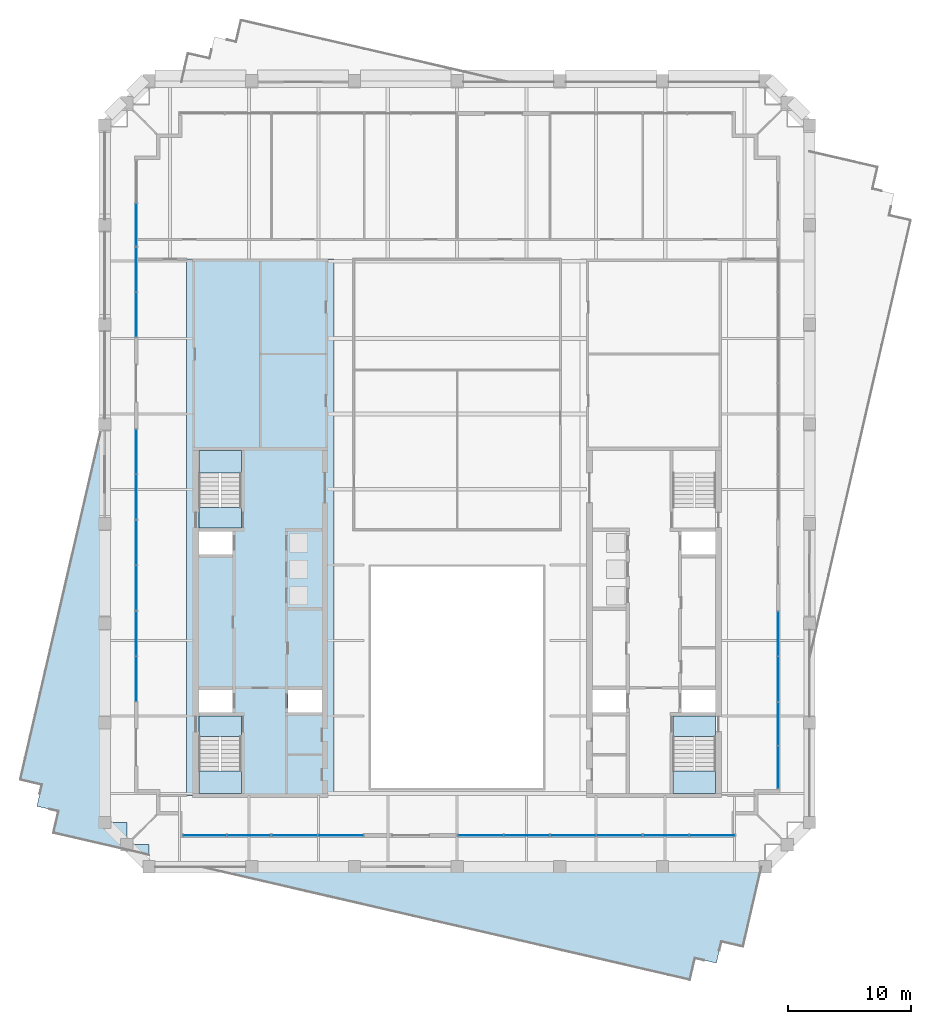
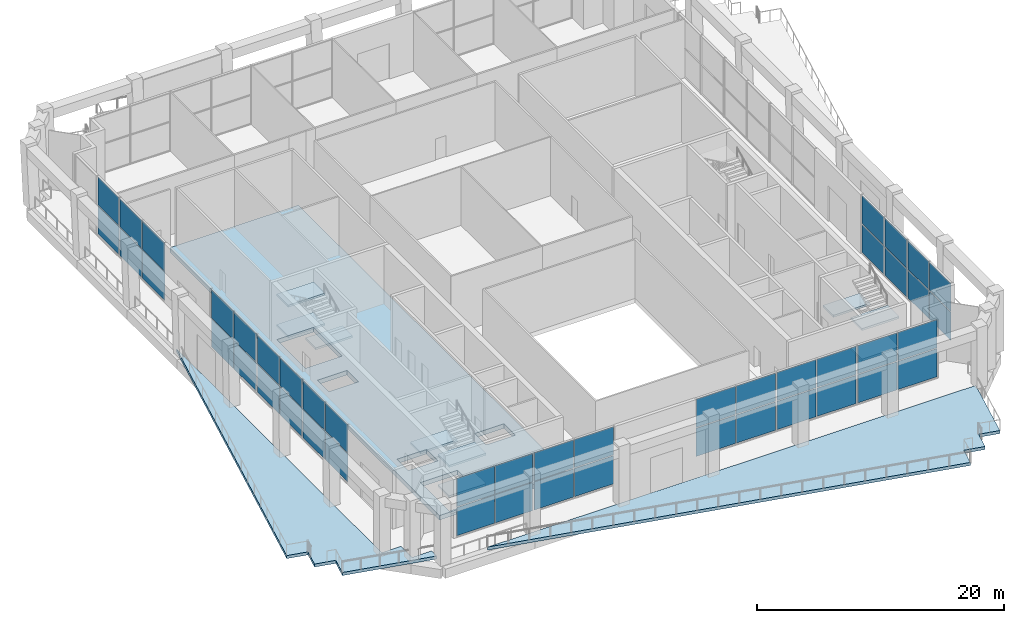
# One storey, part 9 of 20: 46 plates, 12 slabs, 15 elements without a shape of their own.
"""IFC4 building model written with IfcOpenShell, lengths in metres."""

import ifcopenshell
import ifcopenshell.guid

model = None  # the IFC model being written
_history = None  # IfcOwnerHistory: only IFC2X3 demands one
_inside = {}  # id of a spatial element -> (the spatial element, [elements in it])
_under = {}  # id of a project, library or spatial element -> (it, [spatial elements below it])
_declared = {}  # id of a project -> (the project, [libraries it declares])
_typed = {}  # id of a type object -> (the type object, [elements of that type])
_made_of = {}  # id of a material, layer set ... -> (it, [elements and type objects made of it])


def new_model(schema):
    """Start an empty IFC model of exactly this schema.

    Asked for "IFC4X3", IfcOpenShell would pick the latest addendum, in which some entities
    have other attributes; the version numbers below select the first issue.
    IFC2X3 requires an IfcOwnerHistory on every rooted entity: one is made here for all.
    """
    global model, _history
    if schema == "IFC4X3":
        model = ifcopenshell.file(schema_version=(4, 3, 0, 0))
    else:
        model = ifcopenshell.file(schema=schema)
    _inside.clear()
    _under.clear()
    _declared.clear()
    _typed.clear()
    _made_of.clear()
    _history = None
    if model.schema == "IFC2X3":
        org = make("IfcOrganization", Name="unknown")
        user = make(
            "IfcPersonAndOrganization",
            ThePerson=make("IfcPerson", FamilyName="unknown"),
            TheOrganization=org,
        )
        app = make(
            "IfcApplication",
            ApplicationDeveloper=org,
            Version="unknown",
            ApplicationFullName="unknown",
            ApplicationIdentifier="unknown",
        )
        _history = make(
            "IfcOwnerHistory",
            OwningUser=user,
            OwningApplication=app,
            ChangeAction="ADDED",
            CreationDate=0,
        )
    return model


def make(cls, **values):
    """One entity of the class cls with the attributes given. An attribute that is None is left unset."""
    return model.create_entity(
        cls, **{name: value for name, value in values.items() if value is not None}
    )


def rooted(cls, **values):
    """An entity with a GlobalId (a new one), such as an element, a storey or a relation."""
    return make(cls, GlobalId=ifcopenshell.guid.new(), OwnerHistory=_history, **values)


def si_unit(unit_type, name, prefix=None):
    """IfcSIUnit, for example si_unit("LENGTHUNIT", "METRE", prefix="MILLI")."""
    return make("IfcSIUnit", UnitType=unit_type, Prefix=prefix, Name=name)


def assignment(units):
    """IfcUnitAssignment: the units of a project."""
    return None if units is None else make("IfcUnitAssignment", Units=units)


def point(xyz):
    """IfcCartesianPoint."""
    return None if xyz is None else make("IfcCartesianPoint", Coordinates=xyz)


def direction(xyz):
    """IfcDirection."""
    return None if xyz is None else make("IfcDirection", DirectionRatios=xyz)


def frame(location, z_axis=None, x_axis=None):
    """IfcAxis2Placement3D, a coordinate frame: its origin and axes. An axis left out is left unset."""
    return make(
        "IfcAxis2Placement3D",
        Location=point(location),
        Axis=direction(z_axis),
        RefDirection=direction(x_axis),
    )


def frame_2d(location, x_axis=None):
    """IfcAxis2Placement2D, a coordinate frame in the plane: its origin and x axis."""
    return make(
        "IfcAxis2Placement2D", Location=point(location), RefDirection=direction(x_axis)
    )


def origin():
    """The frame at (0, 0, 0) with its axes left unset."""
    return frame((0.0, 0.0, 0.0))


def origin_2d():
    """The frame at (0, 0) in the plane with its x axis left unset."""
    return frame_2d((0.0, 0.0))


def place(relative_to, where):
    """IfcLocalPlacement: puts the frame where relative to a parent placement (None: the world)."""
    return make(
        "IfcLocalPlacement", PlacementRelTo=relative_to, RelativePlacement=where
    )


def context(
    kind, dimensions, precision=None, world=None, true_north=None, identifier=None
):
    """IfcGeometricRepresentationContext, for example the 3D "Model" context."""
    return make(
        "IfcGeometricRepresentationContext",
        ContextIdentifier=identifier,
        ContextType=kind,
        CoordinateSpaceDimension=dimensions,
        Precision=precision,
        WorldCoordinateSystem=world,
        TrueNorth=true_north,
    )


def subcontext(parent, identifier, kind, view, scale=None):
    """IfcGeometricRepresentationSubContext, for example "Body" below "Model"."""
    return make(
        "IfcGeometricRepresentationSubContext",
        ContextIdentifier=identifier,
        ContextType=kind,
        ParentContext=parent,
        TargetScale=scale,
        TargetView=view,
    )


def project(units=None, contexts=None):
    """IfcProject with its units and contexts."""
    return rooted(
        "IfcProject",
        Name="project",
        RepresentationContexts=contexts,
        UnitsInContext=assignment(units),
    )


def spatial(cls, under=None, at=None, **own):
    """A site, building, storey or space (cls), placed at a placement, below another one or the project."""
    s = rooted(cls, ObjectPlacement=at, **own)
    if under is not None:
        _under.setdefault(under.id(), (under, []))[1].append(s)
    return s


def polyline(points):
    """IfcPolyline through the points."""
    return make("IfcPolyline", Points=[point(p) for p in points])


def profile(cls, at=None, kind="AREA", **sizes):
    """A parametric profile (cls). Its sizes go by their IFC names, for example OverallWidth=200.0."""
    return make(cls, ProfileType=kind, Position=at, **sizes)


def rectangle(**sizes):
    """IfcRectangleProfileDef."""
    return profile("IfcRectangleProfileDef", **sizes)


def outline(outer, holes=None, kind="AREA"):
    """IfcArbitraryClosedProfileDef: a profile drawn as a closed curve; with holes, ...WithVoids."""
    if holes is None:
        return make("IfcArbitraryClosedProfileDef", ProfileType=kind, OuterCurve=outer)
    return make(
        "IfcArbitraryProfileDefWithVoids",
        ProfileType=kind,
        OuterCurve=outer,
        InnerCurves=holes,
    )


def extrude(swept, where, along, depth):
    """IfcExtrudedAreaSolid: the profile swept, set in the frame where, extruded along a direction by depth."""
    return make(
        "IfcExtrudedAreaSolid",
        SweptArea=swept,
        Position=where,
        ExtrudedDirection=direction(along),
        Depth=depth,
    )


def shape(context_of_items, identifier, shape_type, items):
    """IfcShapeRepresentation: the items that make up one representation, for example the "Body"."""
    return make(
        "IfcShapeRepresentation",
        ContextOfItems=context_of_items,
        RepresentationIdentifier=identifier,
        RepresentationType=shape_type,
        Items=items,
    )


def material(Name=None, Category=None):
    """IfcMaterial."""
    return make("IfcMaterial", Name=Name, Category=Category)


def layer(
    of_material, thickness, ventilated=None, Name=None, Category=None, Priority=None
):
    """IfcMaterialLayer: one layer of a wall or slab, of a material (None: an air gap)."""
    return make(
        "IfcMaterialLayer",
        Material=of_material,
        LayerThickness=thickness,
        IsVentilated=ventilated,
        Name=Name,
        Category=Category,
        Priority=Priority,
    )


def layer_set(layers, Name=None):
    """IfcMaterialLayerSet."""
    return make("IfcMaterialLayerSet", MaterialLayers=layers, LayerSetName=Name)


def made_of(thing, what):
    """Note that an element or type object is made of a material, layer set ...; save() writes the relation."""
    if what is not None:
        _made_of.setdefault(what.id(), (what, []))[1].append(thing)
    return thing


def type_object(cls, material=None, **own):
    """A type object (cls), such as IfcWallType, which elements share."""
    return made_of(rooted(cls, **own), material)


def element(
    cls,
    number,
    at=None,
    inside=None,
    cuts=None,
    type_object=None,
    material=None,
    context=None,
    identifier="Body",
    shape_type=None,
    held_by="IfcProductDefinitionShape",
    body=None,
    shapes=None,
    **own,
):
    """One element of the class cls, such as IfcWall. Its Tag is "e" and its number.

    at: its placement. inside: the storey or other place that contains it. cuts: it is an
    opening in that element (IfcRelVoidsElement). A single representation is given by context,
    identifier, shape_type and body (its items); several are given by shapes. held_by: the class
    of the entity that holds the representations. save() writes the other relations.
    """
    e = rooted(cls, Tag="e%d" % number, ObjectPlacement=at, **own)
    if body is not None:
        shapes = [shape(context, identifier, shape_type, body)]
    if shapes is not None:
        e.Representation = make(held_by, Representations=shapes)
    if inside is not None:
        _inside.setdefault(inside.id(), (inside, []))[1].append(e)
    if cuts is not None:
        rooted(
            "IfcRelVoidsElement", RelatingBuildingElement=cuts, RelatedOpeningElement=e
        )
    if type_object is not None:
        _typed.setdefault(type_object.id(), (type_object, []))[1].append(e)
    return made_of(e, material)


def aggregate(whole, parts):
    """IfcRelAggregates: a whole, such as a stair, and the parts it consists of."""
    return rooted("IfcRelAggregates", RelatingObject=whole, RelatedObjects=parts)


def save(model, path):
    """Write the relations noted so far, then the file.

    IfcRelAggregates (storeys below a building ...), IfcRelContainedInSpatialStructure (elements
    in a storey), IfcRelDefinesByType, IfcRelAssociatesMaterial and IfcRelDeclares: one each for
    every whole, place, type object, material and project.
    """
    for whole, parts in _under.values():
        aggregate(whole, parts)
    for where, things in _inside.values():
        rooted(
            "IfcRelContainedInSpatialStructure",
            RelatedElements=things,
            RelatingStructure=where,
        )
    for kind, things in _typed.values():
        rooted("IfcRelDefinesByType", RelatedObjects=things, RelatingType=kind)
    for what, things in _made_of.values():
        rooted("IfcRelAssociatesMaterial", RelatedObjects=things, RelatingMaterial=what)
    for by, libraries in _declared.values():
        rooted("IfcRelDeclares", RelatingContext=by, RelatedDefinitions=libraries)
    model.write(path)


model = new_model("IFC4")

# Units and contexts
model_context = context("Model", 3, precision=1e-05, world=origin(), true_north=direction((0.0, 1.0)))
body_context = subcontext(model_context, "Body", "Model", "MODEL_VIEW")
ifc_project = project(units=[si_unit("LENGTHUNIT", "METRE"), si_unit("AREAUNIT", "SQUARE_METRE"), si_unit("VOLUMEUNIT", "CUBIC_METRE"), si_unit("PLANEANGLEUNIT", "RADIAN"), si_unit("MASSUNIT", "GRAM", prefix="KILO")], contexts=[model_context])

# Site, building, storey
site_placement = place(None, origin())
site = spatial("IfcSite", under=ifc_project, at=site_placement, CompositionType="ELEMENT")
building_placement = place(site_placement, origin())
building = spatial("IfcBuilding", under=site, at=building_placement, Name="Ogive Exchange Tower", CompositionType="ELEMENT")
storey_placement = place(building_placement, frame((0.0, 0.0, 303.0)))
storey = spatial("IfcBuildingStorey", under=building, at=storey_placement, Name="L66", CompositionType="ELEMENT", Elevation=303.0)

# Slab
ifc_material_1 = material(Name="Concrete C70/85", Category="concrete")
ifc_layer_1 = layer(ifc_material_1, 0.449951171875)
ifc_layer_set_1 = layer_set([ifc_layer_1], Name="Core floor slab 450")
slab_type_1 = type_object("IfcSlabType", Name="Core floor slab 450", PredefinedType="FLOOR", material=ifc_layer_set_1)
slab_1_placement = place(storey_placement, frame((0.0, 0.0, -0.449951171875)))
element("IfcSlab", 1, at=slab_1_placement, inside=storey, type_object=slab_type_1, Name="Core floor slab", PredefinedType="FLOOR", context=body_context, shape_type="SweptSolid", body=[
    extrude(outline(polyline([(-22.0, -2.60009765625), (-22.0, 41.0), (-10.0, 41.0), (-10.0, -2.60009765625), (-22.0, -2.60009765625)]), holes=[polyline([(-17.550048828125, 2.196044921875), (-21.0, 2.196044921875), (-21.0, -2.449951171875), (-17.550048828125, -2.449951171875), (-17.550048828125, 2.196044921875)]), polyline([(-21.0, 5.992919921875), (-21.0, 4.14990234375), (-18.25, 4.14990234375), (-18.25, 5.992919921875), (-21.0, 5.992919921875)]), polyline([(-13.75, 5.992919921875), (-13.75, 4.14990234375), (-11.0, 4.14990234375), (-11.0, 5.992919921875), (-13.75, 5.992919921875)]), polyline([(-18.25, 18.85009765625), (-21.0, 18.85009765625), (-21.0, 17.007080078125), (-18.25, 17.007080078125), (-18.25, 18.85009765625)]), polyline([(-21.0, 25.449951171875), (-21.0, 20.803955078125), (-17.550048828125, 20.803955078125), (-17.550048828125, 25.449951171875), (-21.0, 25.449951171875)])]), origin(), (0.0, 0.0, 1.0), 0.449951171875),
])

# Curtain wall, plates
ifc_material_2 = material(Name="Anodised aluminium and clear glass", Category="aluminium")
curtain_wall_type = type_object("IfcCurtainWallType", Name="Winter garden glazing", PredefinedType="NOTDEFINED", material=ifc_material_2)
curtain_wall_1_placement = place(storey_placement, origin())
curtain_wall_1 = element("IfcCurtainWall", 2, at=curtain_wall_1_placement, inside=storey, type_object=curtain_wall_type, Name="Winter garden glazing run G1", PredefinedType="NOTDEFINED")
ifc_material_3 = material(Name="Clear glass", Category="glass")
ifc_layer_2 = layer(ifc_material_3, 0.035888671875)
ifc_layer_set_2 = layer_set([ifc_layer_2], Name="Laminated clear glass panel 36")
plate_type = type_object("IfcPlateType", Name="Laminated clear glass panel 36", PredefinedType="CURTAIN_PANEL", material=ifc_layer_set_2)
plate_1_placement = place(storey_placement, frame((-20.517578125, -5.85009765625, 0.080078125), z_axis=(0.0, 0.0, 1.0), x_axis=(1.0, 0.0, 0.0)))
plate_1 = element("IfcPlate", 3, at=plate_1_placement, type_object=plate_type, Name="G1 panel 1.1", PredefinedType="CURTAIN_PANEL", context=body_context, shape_type="SweptSolid", body=[
    extrude(rectangle(XDim=3.5048828125, YDim=0.035888671875, at=origin_2d()), origin(), (0.0, 0.0, 1.0), 2.780029296875),
])
plate_2_placement = place(storey_placement, frame((-20.517578125, -5.85009765625, 2.93994140625), z_axis=(0.0, 0.0, 1.0), x_axis=(1.0, 0.0, 0.0)))
plate_2 = element("IfcPlate", 4, at=plate_2_placement, type_object=plate_type, Name="G1 panel 1.2", PredefinedType="CURTAIN_PANEL", context=body_context, shape_type="SweptSolid", body=[
    extrude(rectangle(XDim=3.5048828125, YDim=0.035888671875, at=origin_2d()), origin(), (0.0, 0.0, 1.0), 2.780029296875),
])
plate_3_placement = place(storey_placement, frame((-16.9326171875, -5.85009765625, 0.080078125), z_axis=(0.0, 0.0, 1.0), x_axis=(1.0, 0.0, 0.0)))
plate_3 = element("IfcPlate", 5, at=plate_3_placement, type_object=plate_type, Name="G1 panel 2.1", PredefinedType="CURTAIN_PANEL", context=body_context, shape_type="SweptSolid", body=[
    extrude(rectangle(XDim=3.5048828125, YDim=0.035888671875, at=origin_2d()), origin(), (0.0, 0.0, 1.0), 2.780029296875),
])
plate_4_placement = place(storey_placement, frame((-16.9326171875, -5.85009765625, 2.93994140625), z_axis=(0.0, 0.0, 1.0), x_axis=(1.0, 0.0, 0.0)))
plate_4 = element("IfcPlate", 6, at=plate_4_placement, type_object=plate_type, Name="G1 panel 2.2", PredefinedType="CURTAIN_PANEL", context=body_context, shape_type="SweptSolid", body=[
    extrude(rectangle(XDim=3.5048828125, YDim=0.035888671875, at=origin_2d()), origin(), (0.0, 0.0, 1.0), 2.780029296875),
])
aggregate(curtain_wall_1, [plate_1, plate_2, plate_3, plate_4])

curtain_wall_2_placement = place(storey_placement, origin())
curtain_wall_2 = element("IfcCurtainWall", 7, at=curtain_wall_2_placement, inside=storey, type_object=curtain_wall_type, Name="Winter garden glazing run G2", PredefinedType="NOTDEFINED")
plate_5_placement = place(storey_placement, frame((-13.1923828125, -5.85009765625, 0.080078125), z_axis=(0.0, 0.0, 1.0), x_axis=(1.0, 0.0, 0.0)))
plate_5 = element("IfcPlate", 8, at=plate_5_placement, type_object=plate_type, Name="G2 panel 1.1", PredefinedType="CURTAIN_PANEL", context=body_context, shape_type="SweptSolid", body=[
    extrude(rectangle(XDim=3.655029296875, YDim=0.035888671875, at=origin_2d()), origin(), (0.0, 0.0, 1.0), 2.780029296875),
])
plate_6_placement = place(storey_placement, frame((-13.1923828125, -5.85009765625, 2.93994140625), z_axis=(0.0, 0.0, 1.0), x_axis=(1.0, 0.0, 0.0)))
plate_6 = element("IfcPlate", 9, at=plate_6_placement, type_object=plate_type, Name="G2 panel 1.2", PredefinedType="CURTAIN_PANEL", context=body_context, shape_type="SweptSolid", body=[
    extrude(rectangle(XDim=3.655029296875, YDim=0.035888671875, at=origin_2d()), origin(), (0.0, 0.0, 1.0), 2.780029296875),
])
plate_7_placement = place(storey_placement, frame((-9.45751953125, -5.85009765625, 0.080078125), z_axis=(0.0, 0.0, 1.0), x_axis=(1.0, 0.0, 0.0)))
plate_7 = element("IfcPlate", 10, at=plate_7_placement, type_object=plate_type, Name="G2 panel 2.1", PredefinedType="CURTAIN_PANEL", context=body_context, shape_type="SweptSolid", body=[
    extrude(rectangle(XDim=3.655029296875, YDim=0.035888671875, at=origin_2d()), origin(), (0.0, 0.0, 1.0), 2.780029296875),
])
plate_8_placement = place(storey_placement, frame((-9.45751953125, -5.85009765625, 2.93994140625), z_axis=(0.0, 0.0, 1.0), x_axis=(1.0, 0.0, 0.0)))
plate_8 = element("IfcPlate", 11, at=plate_8_placement, type_object=plate_type, Name="G2 panel 2.2", PredefinedType="CURTAIN_PANEL", context=body_context, shape_type="SweptSolid", body=[
    extrude(rectangle(XDim=3.655029296875, YDim=0.035888671875, at=origin_2d()), origin(), (0.0, 0.0, 1.0), 2.780029296875),
])
aggregate(curtain_wall_2, [plate_5, plate_6, plate_7, plate_8])

curtain_wall_3_placement = place(storey_placement, origin())
curtain_wall_3 = element("IfcCurtainWall", 12, at=curtain_wall_3_placement, inside=storey, type_object=curtain_wall_type, Name="Winter garden glazing run G4", PredefinedType="NOTDEFINED")
plate_9_placement = place(storey_placement, frame((1.907470703125, -5.85009765625, 0.080078125), z_axis=(0.0, 0.0, 1.0), x_axis=(1.0, 0.0, 0.0)))
plate_9 = element("IfcPlate", 13, at=plate_9_placement, type_object=plate_type, Name="G4 panel 1.1", PredefinedType="CURTAIN_PANEL", context=body_context, shape_type="SweptSolid", body=[
    extrude(rectangle(XDim=3.655029296875, YDim=0.035888671875, at=origin_2d()), origin(), (0.0, 0.0, 1.0), 2.780029296875),
])
plate_10_placement = place(storey_placement, frame((1.907470703125, -5.85009765625, 2.93994140625), z_axis=(0.0, 0.0, 1.0), x_axis=(1.0, 0.0, 0.0)))
plate_10 = element("IfcPlate", 14, at=plate_10_placement, type_object=plate_type, Name="G4 panel 1.2", PredefinedType="CURTAIN_PANEL", context=body_context, shape_type="SweptSolid", body=[
    extrude(rectangle(XDim=3.655029296875, YDim=0.035888671875, at=origin_2d()), origin(), (0.0, 0.0, 1.0), 2.780029296875),
])
plate_11_placement = place(storey_placement, frame((5.642578125, -5.85009765625, 0.080078125), z_axis=(0.0, 0.0, 1.0), x_axis=(1.0, 0.0, 0.0)))
plate_11 = element("IfcPlate", 15, at=plate_11_placement, type_object=plate_type, Name="G4 panel 2.1", PredefinedType="CURTAIN_PANEL", context=body_context, shape_type="SweptSolid", body=[
    extrude(rectangle(XDim=3.655029296875, YDim=0.035888671875, at=origin_2d()), origin(), (0.0, 0.0, 1.0), 2.780029296875),
])
plate_12_placement = place(storey_placement, frame((5.642578125, -5.85009765625, 2.93994140625), z_axis=(0.0, 0.0, 1.0), x_axis=(1.0, 0.0, 0.0)))
plate_12 = element("IfcPlate", 16, at=plate_12_placement, type_object=plate_type, Name="G4 panel 2.2", PredefinedType="CURTAIN_PANEL", context=body_context, shape_type="SweptSolid", body=[
    extrude(rectangle(XDim=3.655029296875, YDim=0.035888671875, at=origin_2d()), origin(), (0.0, 0.0, 1.0), 2.780029296875),
])
aggregate(curtain_wall_3, [plate_9, plate_10, plate_11, plate_12])

curtain_wall_4_placement = place(storey_placement, origin())
curtain_wall_4 = element("IfcCurtainWall", 17, at=curtain_wall_4_placement, inside=storey, type_object=curtain_wall_type, Name="Winter garden glazing run G5", PredefinedType="NOTDEFINED")
plate_13_placement = place(storey_placement, frame((9.45751953125, -5.85009765625, 0.080078125), z_axis=(0.0, 0.0, 1.0), x_axis=(1.0, 0.0, 0.0)))
plate_13 = element("IfcPlate", 18, at=plate_13_placement, type_object=plate_type, Name="G5 panel 1.1", PredefinedType="CURTAIN_PANEL", context=body_context, shape_type="SweptSolid", body=[
    extrude(rectangle(XDim=3.655029296875, YDim=0.035888671875, at=origin_2d()), origin(), (0.0, 0.0, 1.0), 2.780029296875),
])
plate_14_placement = place(storey_placement, frame((9.45751953125, -5.85009765625, 2.93994140625), z_axis=(0.0, 0.0, 1.0), x_axis=(1.0, 0.0, 0.0)))
plate_14 = element("IfcPlate", 19, at=plate_14_placement, type_object=plate_type, Name="G5 panel 1.2", PredefinedType="CURTAIN_PANEL", context=body_context, shape_type="SweptSolid", body=[
    extrude(rectangle(XDim=3.655029296875, YDim=0.035888671875, at=origin_2d()), origin(), (0.0, 0.0, 1.0), 2.780029296875),
])
plate_15_placement = place(storey_placement, frame((13.1923828125, -5.85009765625, 0.080078125), z_axis=(0.0, 0.0, 1.0), x_axis=(1.0, 0.0, 0.0)))
plate_15 = element("IfcPlate", 20, at=plate_15_placement, type_object=plate_type, Name="G5 panel 2.1", PredefinedType="CURTAIN_PANEL", context=body_context, shape_type="SweptSolid", body=[
    extrude(rectangle(XDim=3.655029296875, YDim=0.035888671875, at=origin_2d()), origin(), (0.0, 0.0, 1.0), 2.780029296875),
])
plate_16_placement = place(storey_placement, frame((13.1923828125, -5.85009765625, 2.93994140625), z_axis=(0.0, 0.0, 1.0), x_axis=(1.0, 0.0, 0.0)))
plate_16 = element("IfcPlate", 21, at=plate_16_placement, type_object=plate_type, Name="G5 panel 2.2", PredefinedType="CURTAIN_PANEL", context=body_context, shape_type="SweptSolid", body=[
    extrude(rectangle(XDim=3.655029296875, YDim=0.035888671875, at=origin_2d()), origin(), (0.0, 0.0, 1.0), 2.780029296875),
])
aggregate(curtain_wall_4, [plate_13, plate_14, plate_15, plate_16])

curtain_wall_5_placement = place(storey_placement, origin())
curtain_wall_5 = element("IfcCurtainWall", 22, at=curtain_wall_5_placement, inside=storey, type_object=curtain_wall_type, Name="Winter garden glazing run G6", PredefinedType="NOTDEFINED")
plate_17_placement = place(storey_placement, frame((17.007568359375, -5.85009765625, 0.080078125), z_axis=(0.0, 0.0, 1.0), x_axis=(1.0, 0.0, 0.0)))
plate_17 = element("IfcPlate", 23, at=plate_17_placement, type_object=plate_type, Name="G6 panel 1.1", PredefinedType="CURTAIN_PANEL", context=body_context, shape_type="SweptSolid", body=[
    extrude(rectangle(XDim=3.655029296875, YDim=0.035888671875, at=origin_2d()), origin(), (0.0, 0.0, 1.0), 2.780029296875),
])
plate_18_placement = place(storey_placement, frame((17.007568359375, -5.85009765625, 2.93994140625), z_axis=(0.0, 0.0, 1.0), x_axis=(1.0, 0.0, 0.0)))
plate_18 = element("IfcPlate", 24, at=plate_18_placement, type_object=plate_type, Name="G6 panel 1.2", PredefinedType="CURTAIN_PANEL", context=body_context, shape_type="SweptSolid", body=[
    extrude(rectangle(XDim=3.655029296875, YDim=0.035888671875, at=origin_2d()), origin(), (0.0, 0.0, 1.0), 2.780029296875),
])
plate_19_placement = place(storey_placement, frame((20.742431640625, -5.85009765625, 0.080078125), z_axis=(0.0, 0.0, 1.0), x_axis=(1.0, 0.0, 0.0)))
plate_19 = element("IfcPlate", 25, at=plate_19_placement, type_object=plate_type, Name="G6 panel 2.1", PredefinedType="CURTAIN_PANEL", context=body_context, shape_type="SweptSolid", body=[
    extrude(rectangle(XDim=3.655029296875, YDim=0.035888671875, at=origin_2d()), origin(), (0.0, 0.0, 1.0), 2.780029296875),
])
plate_20_placement = place(storey_placement, frame((20.742431640625, -5.85009765625, 2.93994140625), z_axis=(0.0, 0.0, 1.0), x_axis=(1.0, 0.0, 0.0)))
plate_20 = element("IfcPlate", 26, at=plate_20_placement, type_object=plate_type, Name="G6 panel 2.2", PredefinedType="CURTAIN_PANEL", context=body_context, shape_type="SweptSolid", body=[
    extrude(rectangle(XDim=3.655029296875, YDim=0.035888671875, at=origin_2d()), origin(), (0.0, 0.0, 1.0), 2.780029296875),
])
aggregate(curtain_wall_5, [plate_17, plate_18, plate_19, plate_20])

curtain_wall_6_placement = place(storey_placement, origin())
curtain_wall_6 = element("IfcCurtainWall", 27, at=curtain_wall_6_placement, inside=storey, type_object=curtain_wall_type, Name="Winter garden glazing run G7", PredefinedType="NOTDEFINED")
plate_21_placement = place(storey_placement, frame((26.10009765625, -0.304931640625, 0.080078125), z_axis=(0.0, 0.0, 1.0), x_axis=(0.0, 1.0, 0.0)))
plate_21 = element("IfcPlate", 28, at=plate_21_placement, type_object=plate_type, Name="G7 panel 1.1", PredefinedType="CURTAIN_PANEL", context=body_context, shape_type="SweptSolid", body=[
    extrude(rectangle(XDim=3.429931640625, YDim=0.035888671875, at=origin_2d()), origin(), (0.0, 0.0, 1.0), 2.780029296875),
])
plate_22_placement = place(storey_placement, frame((26.10009765625, -0.304931640625, 2.93994140625), z_axis=(0.0, 0.0, 1.0), x_axis=(0.0, 1.0, 0.0)))
plate_22 = element("IfcPlate", 29, at=plate_22_placement, type_object=plate_type, Name="G7 panel 1.2", PredefinedType="CURTAIN_PANEL", context=body_context, shape_type="SweptSolid", body=[
    extrude(rectangle(XDim=3.429931640625, YDim=0.035888671875, at=origin_2d()), origin(), (0.0, 0.0, 1.0), 2.780029296875),
])
plate_23_placement = place(storey_placement, frame((26.10009765625, 3.205078125, 0.080078125), z_axis=(0.0, 0.0, 1.0), x_axis=(0.0, 1.0, 0.0)))
plate_23 = element("IfcPlate", 30, at=plate_23_placement, type_object=plate_type, Name="G7 panel 2.1", PredefinedType="CURTAIN_PANEL", context=body_context, shape_type="SweptSolid", body=[
    extrude(rectangle(XDim=3.429931640625, YDim=0.035888671875, at=origin_2d()), origin(), (0.0, 0.0, 1.0), 2.780029296875),
])
plate_24_placement = place(storey_placement, frame((26.10009765625, 3.205078125, 2.93994140625), z_axis=(0.0, 0.0, 1.0), x_axis=(0.0, 1.0, 0.0)))
plate_24 = element("IfcPlate", 31, at=plate_24_placement, type_object=plate_type, Name="G7 panel 2.2", PredefinedType="CURTAIN_PANEL", context=body_context, shape_type="SweptSolid", body=[
    extrude(rectangle(XDim=3.429931640625, YDim=0.035888671875, at=origin_2d()), origin(), (0.0, 0.0, 1.0), 2.780029296875),
])
aggregate(curtain_wall_6, [plate_21, plate_22, plate_23, plate_24])

curtain_wall_7_placement = place(storey_placement, origin())
curtain_wall_7 = element("IfcCurtainWall", 32, at=curtain_wall_7_placement, inside=storey, type_object=curtain_wall_type, Name="Winter garden glazing run G8", PredefinedType="NOTDEFINED")
plate_25_placement = place(storey_placement, frame((26.10009765625, 6.8701171875, 0.080078125), z_axis=(0.0, 0.0, 1.0), x_axis=(0.0, 1.0, 0.0)))
plate_25 = element("IfcPlate", 33, at=plate_25_placement, type_object=plate_type, Name="G8 panel 1.1", PredefinedType="CURTAIN_PANEL", context=body_context, shape_type="SweptSolid", body=[
    extrude(rectangle(XDim=3.580078125, YDim=0.035888671875, at=origin_2d()), origin(), (0.0, 0.0, 1.0), 2.780029296875),
])
plate_26_placement = place(storey_placement, frame((26.10009765625, 6.8701171875, 2.93994140625), z_axis=(0.0, 0.0, 1.0), x_axis=(0.0, 1.0, 0.0)))
plate_26 = element("IfcPlate", 34, at=plate_26_placement, type_object=plate_type, Name="G8 panel 1.2", PredefinedType="CURTAIN_PANEL", context=body_context, shape_type="SweptSolid", body=[
    extrude(rectangle(XDim=3.580078125, YDim=0.035888671875, at=origin_2d()), origin(), (0.0, 0.0, 1.0), 2.780029296875),
])
plate_27_placement = place(storey_placement, frame((26.10009765625, 10.530029296875, 0.080078125), z_axis=(0.0, 0.0, 1.0), x_axis=(0.0, 1.0, 0.0)))
plate_27 = element("IfcPlate", 35, at=plate_27_placement, type_object=plate_type, Name="G8 panel 2.1", PredefinedType="CURTAIN_PANEL", context=body_context, shape_type="SweptSolid", body=[
    extrude(rectangle(XDim=3.580078125, YDim=0.035888671875, at=origin_2d()), origin(), (0.0, 0.0, 1.0), 2.780029296875),
])
plate_28_placement = place(storey_placement, frame((26.10009765625, 10.530029296875, 2.93994140625), z_axis=(0.0, 0.0, 1.0), x_axis=(0.0, 1.0, 0.0)))
plate_28 = element("IfcPlate", 36, at=plate_28_placement, type_object=plate_type, Name="G8 panel 2.2", PredefinedType="CURTAIN_PANEL", context=body_context, shape_type="SweptSolid", body=[
    extrude(rectangle(XDim=3.580078125, YDim=0.035888671875, at=origin_2d()), origin(), (0.0, 0.0, 1.0), 2.780029296875),
])
aggregate(curtain_wall_7, [plate_25, plate_26, plate_27, plate_28])

curtain_wall_8_placement = place(storey_placement, origin())
curtain_wall_8 = element("IfcCurtainWall", 37, at=curtain_wall_8_placement, inside=storey, type_object=curtain_wall_type, Name="Winter garden glazing run G20", PredefinedType="NOTDEFINED")
plate_29_placement = place(storey_placement, frame((-26.10009765625, 43.794921875, 0.080078125), z_axis=(0.0, 0.0, 1.0), x_axis=(0.0, -1.0, 0.0)))
plate_29 = element("IfcPlate", 38, at=plate_29_placement, type_object=plate_type, Name="G20 panel 2.1", PredefinedType="CURTAIN_PANEL", context=body_context, shape_type="SweptSolid", body=[
    extrude(rectangle(XDim=3.429931640625, YDim=0.035888671875, at=origin_2d()), origin(), (0.0, 0.0, 1.0), 2.780029296875),
])
plate_30_placement = place(storey_placement, frame((-26.10009765625, 43.794921875, 2.93994140625), z_axis=(0.0, 0.0, 1.0), x_axis=(0.0, -1.0, 0.0)))
plate_30 = element("IfcPlate", 39, at=plate_30_placement, type_object=plate_type, Name="G20 panel 2.2", PredefinedType="CURTAIN_PANEL", context=body_context, shape_type="SweptSolid", body=[
    extrude(rectangle(XDim=3.429931640625, YDim=0.035888671875, at=origin_2d()), origin(), (0.0, 0.0, 1.0), 2.780029296875),
])
aggregate(curtain_wall_8, [plate_29, plate_30])

curtain_wall_9_placement = place(storey_placement, origin())
curtain_wall_9 = element("IfcCurtainWall", 40, at=curtain_wall_9_placement, inside=storey, type_object=curtain_wall_type, Name="Winter garden glazing run G21", PredefinedType="NOTDEFINED")
plate_31_placement = place(storey_placement, frame((-26.10009765625, 40.1298828125, 0.080078125), z_axis=(0.0, 0.0, 1.0), x_axis=(0.0, -1.0, 0.0)))
plate_31 = element("IfcPlate", 41, at=plate_31_placement, type_object=plate_type, Name="G21 panel 1.1", PredefinedType="CURTAIN_PANEL", context=body_context, shape_type="SweptSolid", body=[
    extrude(rectangle(XDim=3.580078125, YDim=0.035888671875, at=origin_2d()), origin(), (0.0, 0.0, 1.0), 2.780029296875),
])
plate_32_placement = place(storey_placement, frame((-26.10009765625, 40.1298828125, 2.93994140625), z_axis=(0.0, 0.0, 1.0), x_axis=(0.0, -1.0, 0.0)))
plate_32 = element("IfcPlate", 42, at=plate_32_placement, type_object=plate_type, Name="G21 panel 1.2", PredefinedType="CURTAIN_PANEL", context=body_context, shape_type="SweptSolid", body=[
    extrude(rectangle(XDim=3.580078125, YDim=0.035888671875, at=origin_2d()), origin(), (0.0, 0.0, 1.0), 2.780029296875),
])
plate_33_placement = place(storey_placement, frame((-26.10009765625, 36.469970703125, 0.080078125), z_axis=(0.0, 0.0, 1.0), x_axis=(0.0, -1.0, 0.0)))
plate_33 = element("IfcPlate", 43, at=plate_33_placement, type_object=plate_type, Name="G21 panel 2.1", PredefinedType="CURTAIN_PANEL", context=body_context, shape_type="SweptSolid", body=[
    extrude(rectangle(XDim=3.580078125, YDim=0.035888671875, at=origin_2d()), origin(), (0.0, 0.0, 1.0), 2.780029296875),
])
plate_34_placement = place(storey_placement, frame((-26.10009765625, 36.469970703125, 2.93994140625), z_axis=(0.0, 0.0, 1.0), x_axis=(0.0, -1.0, 0.0)))
plate_34 = element("IfcPlate", 44, at=plate_34_placement, type_object=plate_type, Name="G21 panel 2.2", PredefinedType="CURTAIN_PANEL", context=body_context, shape_type="SweptSolid", body=[
    extrude(rectangle(XDim=3.580078125, YDim=0.035888671875, at=origin_2d()), origin(), (0.0, 0.0, 1.0), 2.780029296875),
])
aggregate(curtain_wall_9, [plate_31, plate_32, plate_33, plate_34])

curtain_wall_10_placement = place(storey_placement, origin())
curtain_wall_10 = element("IfcCurtainWall", 45, at=curtain_wall_10_placement, inside=storey, type_object=curtain_wall_type, Name="Winter garden glazing run G23", PredefinedType="NOTDEFINED")
plate_35_placement = place(storey_placement, frame((-26.10009765625, 25.330078125, 0.080078125), z_axis=(0.0, 0.0, 1.0), x_axis=(0.0, -1.0, 0.0)))
plate_35 = element("IfcPlate", 46, at=plate_35_placement, type_object=plate_type, Name="G23 panel 1.1", PredefinedType="CURTAIN_PANEL", context=body_context, shape_type="SweptSolid", body=[
    extrude(rectangle(XDim=3.580078125, YDim=0.035888671875, at=origin_2d()), origin(), (0.0, 0.0, 1.0), 2.780029296875),
])
plate_36_placement = place(storey_placement, frame((-26.10009765625, 25.330078125, 2.93994140625), z_axis=(0.0, 0.0, 1.0), x_axis=(0.0, -1.0, 0.0)))
plate_36 = element("IfcPlate", 47, at=plate_36_placement, type_object=plate_type, Name="G23 panel 1.2", PredefinedType="CURTAIN_PANEL", context=body_context, shape_type="SweptSolid", body=[
    extrude(rectangle(XDim=3.580078125, YDim=0.035888671875, at=origin_2d()), origin(), (0.0, 0.0, 1.0), 2.780029296875),
])
plate_37_placement = place(storey_placement, frame((-26.10009765625, 21.669921875, 0.080078125), z_axis=(0.0, 0.0, 1.0), x_axis=(0.0, -1.0, 0.0)))
plate_37 = element("IfcPlate", 48, at=plate_37_placement, type_object=plate_type, Name="G23 panel 2.1", PredefinedType="CURTAIN_PANEL", context=body_context, shape_type="SweptSolid", body=[
    extrude(rectangle(XDim=3.580078125, YDim=0.035888671875, at=origin_2d()), origin(), (0.0, 0.0, 1.0), 2.780029296875),
])
plate_38_placement = place(storey_placement, frame((-26.10009765625, 21.669921875, 2.93994140625), z_axis=(0.0, 0.0, 1.0), x_axis=(0.0, -1.0, 0.0)))
plate_38 = element("IfcPlate", 49, at=plate_38_placement, type_object=plate_type, Name="G23 panel 2.2", PredefinedType="CURTAIN_PANEL", context=body_context, shape_type="SweptSolid", body=[
    extrude(rectangle(XDim=3.580078125, YDim=0.035888671875, at=origin_2d()), origin(), (0.0, 0.0, 1.0), 2.780029296875),
])
aggregate(curtain_wall_10, [plate_35, plate_36, plate_37, plate_38])

curtain_wall_11_placement = place(storey_placement, origin())
curtain_wall_11 = element("IfcCurtainWall", 50, at=curtain_wall_11_placement, inside=storey, type_object=curtain_wall_type, Name="Winter garden glazing run G24", PredefinedType="NOTDEFINED")
plate_39_placement = place(storey_placement, frame((-26.10009765625, 17.929931640625, 0.080078125), z_axis=(0.0, 0.0, 1.0), x_axis=(0.0, -1.0, 0.0)))
plate_39 = element("IfcPlate", 51, at=plate_39_placement, type_object=plate_type, Name="G24 panel 1.1", PredefinedType="CURTAIN_PANEL", context=body_context, shape_type="SweptSolid", body=[
    extrude(rectangle(XDim=3.580078125, YDim=0.035888671875, at=origin_2d()), origin(), (0.0, 0.0, 1.0), 2.780029296875),
])
plate_40_placement = place(storey_placement, frame((-26.10009765625, 17.929931640625, 2.93994140625), z_axis=(0.0, 0.0, 1.0), x_axis=(0.0, -1.0, 0.0)))
plate_40 = element("IfcPlate", 52, at=plate_40_placement, type_object=plate_type, Name="G24 panel 1.2", PredefinedType="CURTAIN_PANEL", context=body_context, shape_type="SweptSolid", body=[
    extrude(rectangle(XDim=3.580078125, YDim=0.035888671875, at=origin_2d()), origin(), (0.0, 0.0, 1.0), 2.780029296875),
])
plate_41_placement = place(storey_placement, frame((-26.10009765625, 14.27001953125, 0.080078125), z_axis=(0.0, 0.0, 1.0), x_axis=(0.0, -1.0, 0.0)))
plate_41 = element("IfcPlate", 53, at=plate_41_placement, type_object=plate_type, Name="G24 panel 2.1", PredefinedType="CURTAIN_PANEL", context=body_context, shape_type="SweptSolid", body=[
    extrude(rectangle(XDim=3.580078125, YDim=0.035888671875, at=origin_2d()), origin(), (0.0, 0.0, 1.0), 2.780029296875),
])
plate_42_placement = place(storey_placement, frame((-26.10009765625, 14.27001953125, 2.93994140625), z_axis=(0.0, 0.0, 1.0), x_axis=(0.0, -1.0, 0.0)))
plate_42 = element("IfcPlate", 54, at=plate_42_placement, type_object=plate_type, Name="G24 panel 2.2", PredefinedType="CURTAIN_PANEL", context=body_context, shape_type="SweptSolid", body=[
    extrude(rectangle(XDim=3.580078125, YDim=0.035888671875, at=origin_2d()), origin(), (0.0, 0.0, 1.0), 2.780029296875),
])
aggregate(curtain_wall_11, [plate_39, plate_40, plate_41, plate_42])

curtain_wall_12_placement = place(storey_placement, origin())
curtain_wall_12 = element("IfcCurtainWall", 55, at=curtain_wall_12_placement, inside=storey, type_object=curtain_wall_type, Name="Winter garden glazing run G25", PredefinedType="NOTDEFINED")
plate_43_placement = place(storey_placement, frame((-26.10009765625, 10.530029296875, 0.080078125), z_axis=(0.0, 0.0, 1.0), x_axis=(0.0, -1.0, 0.0)))
plate_43 = element("IfcPlate", 56, at=plate_43_placement, type_object=plate_type, Name="G25 panel 1.1", PredefinedType="CURTAIN_PANEL", context=body_context, shape_type="SweptSolid", body=[
    extrude(rectangle(XDim=3.580078125, YDim=0.035888671875, at=origin_2d()), origin(), (0.0, 0.0, 1.0), 2.780029296875),
])
plate_44_placement = place(storey_placement, frame((-26.10009765625, 10.530029296875, 2.93994140625), z_axis=(0.0, 0.0, 1.0), x_axis=(0.0, -1.0, 0.0)))
plate_44 = element("IfcPlate", 57, at=plate_44_placement, type_object=plate_type, Name="G25 panel 1.2", PredefinedType="CURTAIN_PANEL", context=body_context, shape_type="SweptSolid", body=[
    extrude(rectangle(XDim=3.580078125, YDim=0.035888671875, at=origin_2d()), origin(), (0.0, 0.0, 1.0), 2.780029296875),
])
plate_45_placement = place(storey_placement, frame((-26.10009765625, 6.8701171875, 0.080078125), z_axis=(0.0, 0.0, 1.0), x_axis=(0.0, -1.0, 0.0)))
plate_45 = element("IfcPlate", 58, at=plate_45_placement, type_object=plate_type, Name="G25 panel 2.1", PredefinedType="CURTAIN_PANEL", context=body_context, shape_type="SweptSolid", body=[
    extrude(rectangle(XDim=3.580078125, YDim=0.035888671875, at=origin_2d()), origin(), (0.0, 0.0, 1.0), 2.780029296875),
])
plate_46_placement = place(storey_placement, frame((-26.10009765625, 6.8701171875, 2.93994140625), z_axis=(0.0, 0.0, 1.0), x_axis=(0.0, -1.0, 0.0)))
plate_46 = element("IfcPlate", 59, at=plate_46_placement, type_object=plate_type, Name="G25 panel 2.2", PredefinedType="CURTAIN_PANEL", context=body_context, shape_type="SweptSolid", body=[
    extrude(rectangle(XDim=3.580078125, YDim=0.035888671875, at=origin_2d()), origin(), (0.0, 0.0, 1.0), 2.780029296875),
])
aggregate(curtain_wall_12, [plate_43, plate_44, plate_45, plate_46])

# Stair, slabs
ifc_material_4 = material(Name="Concrete C40/50", Category="concrete")
stair_type = type_object("IfcStairType", Name="Exit stair 1650 wide", PredefinedType="HALF_TURN_STAIR", material=ifc_material_4)
stair_1_placement = place(storey_placement, origin())
stair_1 = element("IfcStair", 60, at=stair_1_placement, inside=storey, type_object=stair_type, Name="L66 exit stair ST1", PredefinedType="HALF_TURN_STAIR")
ifc_layer_3 = layer(ifc_material_4, 0.199951171875)
ifc_layer_set_3 = layer_set([ifc_layer_3], Name="Stair landing 200 slab")
slab_type_2 = type_object("IfcSlabType", Name="Stair landing 200 slab", PredefinedType="LANDING", material=ifc_layer_set_3)
slab_2_placement = place(storey_placement, frame((0.0, 0.0, 1.300048828125)))
slab_2 = element("IfcSlab", 61, at=slab_2_placement, type_object=slab_type_2, Name="ST1 landing 1", PredefinedType="LANDING", context=body_context, shape_type="SweptSolid", body=[
    extrude(outline(polyline([(-21.0, -0.60791015625), (-21.0, -2.449951171875), (-17.550048828125, -2.449951171875), (-17.550048828125, -0.60791015625), (-21.0, -0.60791015625)])), origin(), (0.0, 0.0, 1.0), 0.199951171875),
])
slab_3_placement = place(storey_placement, frame((0.0, 0.0, 2.800048828125)))
slab_3 = element("IfcSlab", 62, at=slab_3_placement, type_object=slab_type_2, Name="ST1 landing 2", PredefinedType="LANDING", context=body_context, shape_type="SweptSolid", body=[
    extrude(outline(polyline([(-21.0, 3.85009765625), (-21.0, 2.199951171875), (-17.550048828125, 2.199951171875), (-17.550048828125, 3.85009765625), (-21.0, 3.85009765625)])), origin(), (0.0, 0.0, 1.0), 0.199951171875),
])
slab_4_placement = place(storey_placement, frame((0.0, 0.0, 4.300048828125)))
slab_4 = element("IfcSlab", 63, at=slab_4_placement, type_object=slab_type_2, Name="ST1 landing 3", PredefinedType="LANDING", context=body_context, shape_type="SweptSolid", body=[
    extrude(outline(polyline([(-21.0, -0.60791015625), (-21.0, -2.449951171875), (-17.550048828125, -2.449951171875), (-17.550048828125, -0.60791015625), (-21.0, -0.60791015625)])), origin(), (0.0, 0.0, 1.0), 0.199951171875),
])
aggregate(stair_1, [slab_2, slab_3, slab_4])

stair_2_placement = place(storey_placement, origin())
stair_2 = element("IfcStair", 64, at=stair_2_placement, inside=storey, type_object=stair_type, Name="L66 exit stair ST2", PredefinedType="HALF_TURN_STAIR")
slab_5_placement = place(storey_placement, frame((0.0, 0.0, 1.300048828125)))
slab_5 = element("IfcSlab", 65, at=slab_5_placement, type_object=slab_type_2, Name="ST2 landing 1", PredefinedType="LANDING", context=body_context, shape_type="SweptSolid", body=[
    extrude(outline(polyline([(-17.550048828125, 23.60791015625), (-17.550048828125, 25.449951171875), (-21.0, 25.449951171875), (-21.0, 23.60791015625), (-17.550048828125, 23.60791015625)])), origin(), (0.0, 0.0, 1.0), 0.199951171875),
])
slab_6_placement = place(storey_placement, frame((0.0, 0.0, 2.800048828125)))
slab_6 = element("IfcSlab", 66, at=slab_6_placement, type_object=slab_type_2, Name="ST2 landing 2", PredefinedType="LANDING", context=body_context, shape_type="SweptSolid", body=[
    extrude(outline(polyline([(-17.550048828125, 19.14990234375), (-17.550048828125, 20.800048828125), (-21.0, 20.800048828125), (-21.0, 19.14990234375), (-17.550048828125, 19.14990234375)])), origin(), (0.0, 0.0, 1.0), 0.199951171875),
])
slab_7_placement = place(storey_placement, frame((0.0, 0.0, 4.300048828125)))
slab_7 = element("IfcSlab", 67, at=slab_7_placement, type_object=slab_type_2, Name="ST2 landing 3", PredefinedType="LANDING", context=body_context, shape_type="SweptSolid", body=[
    extrude(outline(polyline([(-17.550048828125, 23.60791015625), (-17.550048828125, 25.449951171875), (-21.0, 25.449951171875), (-21.0, 23.60791015625), (-17.550048828125, 23.60791015625)])), origin(), (0.0, 0.0, 1.0), 0.199951171875),
])
aggregate(stair_2, [slab_5, slab_6, slab_7])

stair_3_placement = place(storey_placement, origin())
stair_3 = element("IfcStair", 68, at=stair_3_placement, inside=storey, type_object=stair_type, Name="L66 exit stair ST3", PredefinedType="HALF_TURN_STAIR")
slab_8_placement = place(storey_placement, frame((0.0, 0.0, 1.300048828125)))
slab_8 = element("IfcSlab", 69, at=slab_8_placement, type_object=slab_type_2, Name="ST3 landing 1", PredefinedType="LANDING", context=body_context, shape_type="SweptSolid", body=[
    extrude(outline(polyline([(17.550048828125, -0.60791015625), (17.550048828125, -2.449951171875), (21.0, -2.449951171875), (21.0, -0.60791015625), (17.550048828125, -0.60791015625)])), origin(), (0.0, 0.0, 1.0), 0.199951171875),
])
slab_9_placement = place(storey_placement, frame((0.0, 0.0, 2.800048828125)))
slab_9 = element("IfcSlab", 70, at=slab_9_placement, type_object=slab_type_2, Name="ST3 landing 2", PredefinedType="LANDING", context=body_context, shape_type="SweptSolid", body=[
    extrude(outline(polyline([(17.550048828125, 3.85009765625), (17.550048828125, 2.199951171875), (21.0, 2.199951171875), (21.0, 3.85009765625), (17.550048828125, 3.85009765625)])), origin(), (0.0, 0.0, 1.0), 0.199951171875),
])
slab_10_placement = place(storey_placement, frame((0.0, 0.0, 4.300048828125)))
slab_10 = element("IfcSlab", 71, at=slab_10_placement, type_object=slab_type_2, Name="ST3 landing 3", PredefinedType="LANDING", context=body_context, shape_type="SweptSolid", body=[
    extrude(outline(polyline([(17.550048828125, -0.60791015625), (17.550048828125, -2.449951171875), (21.0, -2.449951171875), (21.0, -0.60791015625), (17.550048828125, -0.60791015625)])), origin(), (0.0, 0.0, 1.0), 0.199951171875),
])
aggregate(stair_3, [slab_8, slab_9, slab_10])

# Slabs
ifc_material_5 = material(Name="Concrete C50/60", Category="concrete")
ifc_layer_4 = layer(ifc_material_5, 0.300048828125)
ifc_layer_set_4 = layer_set([ifc_layer_4], Name="Terrace deck 300")
slab_type_3 = type_object("IfcSlabType", Name="Terrace deck 300", PredefinedType="FLOOR", material=ifc_layer_set_4)
slab_11_placement = place(storey_placement, frame((0.0, 0.0, -0.300048828125)))
element("IfcSlab", 72, at=slab_11_placement, inside=storey, type_object=slab_type_3, Name="Terrace deck", PredefinedType="FLOOR", context=body_context, shape_type="SweptSolid", body=[
    extrude(outline(polyline([(21.482177734375, -14.477783203125), (21.077392578125, -16.2314453125), (19.323486328125, -15.82666015625), (18.91845703125, -17.58056640625), (-20.846435546875, -8.39990234375), (24.732666015625, -8.39990234375), (23.236083984375, -14.882568359375), (21.482177734375, -14.477783203125)])), origin(), (0.0, 0.0, 1.0), 0.300048828125),
])
slab_12_placement = place(storey_placement, frame((0.0, 0.0, -0.300048828125)))
element("IfcSlab", 73, at=slab_12_placement, inside=storey, type_object=slab_type_3, Name="Terrace deck", PredefinedType="FLOOR", context=body_context, shape_type="SweptSolid", body=[
    extrude(outline(polyline([(-32.41552734375, -3.881591796875), (-34.16943359375, -3.476806640625), (-33.7646484375, -1.722900390625), (-35.518310546875, -1.318115234375), (-28.64990234375, 28.432373046875), (-28.64990234375, -4.800048828125), (-26.85009765625, -4.800048828125), (-26.85009765625, -6.60009765625), (-25.050048828125, -6.60009765625), (-25.050048828125, -7.429443359375), (-32.820556640625, -5.635498046875), (-32.41552734375, -3.881591796875)])), origin(), (0.0, 0.0, 1.0), 0.300048828125),
])

save(model, "model.ifc")
